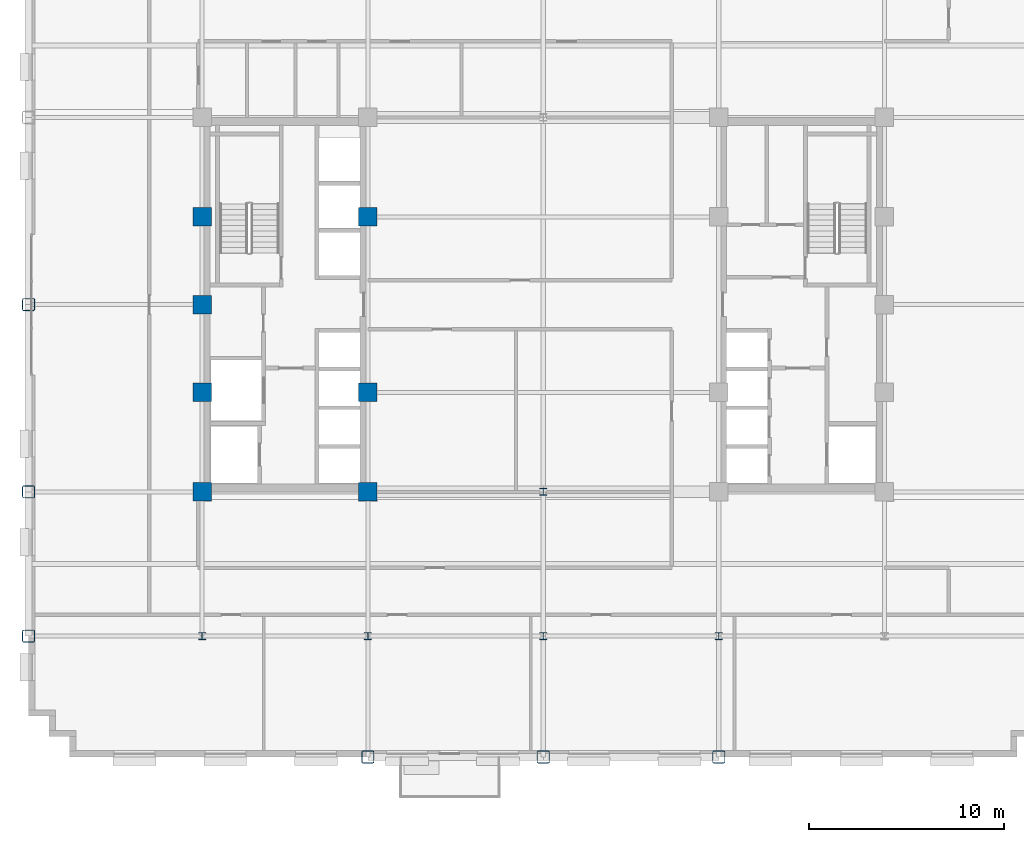
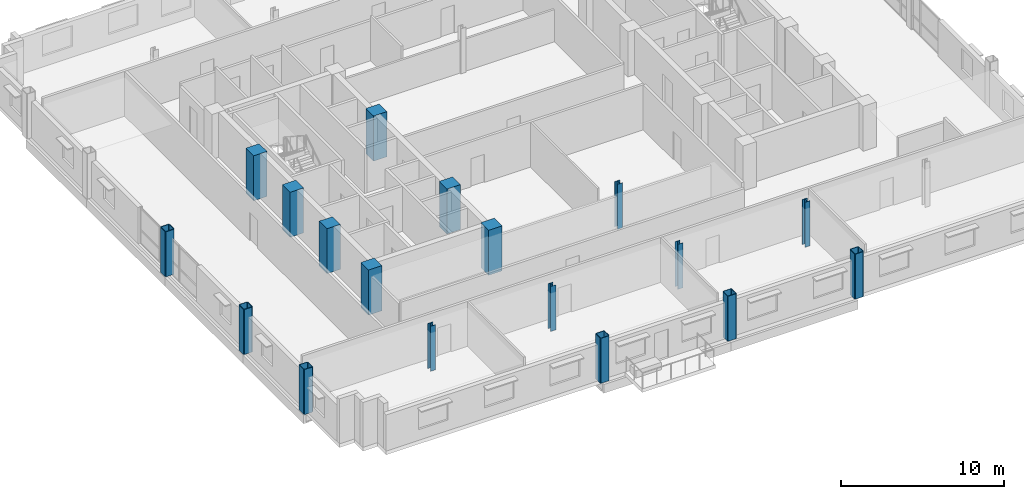
# One storey, part 1 of 15: 18 columns.
"""IFC4 building model written with IfcOpenShell, lengths in metres."""

from ifc_helpers import new_model, si_unit, direction, frame, origin, origin_2d, place, context, subcontext, project, spatial, rectangle, hollow_rectangle, i_section, extrude, material, material_profile, profile_set, type_object, element, save


model = new_model("IFC4")

# Units and contexts
model_context = context("Model", 3, precision=1e-05, world=origin(), true_north=direction((0.0, 1.0)))
body_context = subcontext(model_context, "Body", "Model", "MODEL_VIEW")
ifc_project = project(units=[si_unit("LENGTHUNIT", "METRE"), si_unit("AREAUNIT", "SQUARE_METRE"), si_unit("VOLUMEUNIT", "CUBIC_METRE"), si_unit("PLANEANGLEUNIT", "RADIAN"), si_unit("MASSUNIT", "GRAM", prefix="KILO")], contexts=[model_context])

# Site, building, storey
site_placement = place(None, origin())
site = spatial("IfcSite", under=ifc_project, at=site_placement, CompositionType="ELEMENT")
building_placement = place(site_placement, origin())
building = spatial("IfcBuilding", under=site, at=building_placement, Name="Nuvemarco Arch Tower", CompositionType="ELEMENT")
storey_placement = place(building_placement, frame((0.0, 0.0, 123.85009765625)))
storey = spatial("IfcBuildingStorey", under=building, at=storey_placement, Name="L32", CompositionType="ELEMENT", Elevation=123.85009765625)

# Columns
ifc_material_1 = material(Name="Concrete C50/60", Category="concrete")
ifc_material_profile_1 = material_profile(ifc_material_1, rectangle(XDim=0.949951171875, YDim=0.949951171875, at=origin_2d()), Name="RC-COL-950x950")
ifc_profile_set_1 = profile_set([ifc_material_profile_1], Name="Concrete C50/60")
column_type_1 = type_object("IfcColumnType", Name="COL-CORE-950", PredefinedType="COLUMN", material=ifc_profile_set_1)
for number, where, z_axis, x_axis, name in (
    (1, (-17.5, -9.60009765625, 0.0), (0.0, 0.0, 1.0), (1.0, 0.0, 0.0), "L32 column CC_-17.5_-9.6"),
    (2, (-17.5, -4.5, 0.0), (0.0, 0.0, 1.0), (1.0, 0.0, 0.0), "L32 column CC_-17.5_-4.5"),
    (3, (-17.5, 4.5, 0.0), (0.0, 0.0, 1.0), (1.0, 0.0, 0.0), "L32 column CC_-17.5_+4.5"),
    (4, (-9.0, -9.60009765625, 0.0), (0.0, 0.0, 1.0), (1.0, 0.0, 0.0), "L32 column CC_-9.0_-9.6"),
    (5, (-9.0, -4.5, 0.0), (0.0, 0.0, 1.0), (1.0, 0.0, 0.0), "L32 column CC_-9.0_-4.5"),
    (6, (-9.0, 4.5, 0.0), (0.0, 0.0, 1.0), (1.0, 0.0, 0.0), "L32 column CC_-9.0_+4.5"),
    (7, (-17.5, 0.0, 0.0), (0.0, 0.0, 1.0), (1.0, 0.0, 0.0), "L32 column CC_-17.5_+0.0"),
):
    element("IfcColumn", number, at=place(storey_placement, frame(where, z_axis=z_axis, x_axis=x_axis)), inside=storey, type_object=column_type_1, Name=name, PredefinedType="COLUMN", context=body_context, shape_type="SweptSolid", body=[
        extrude(rectangle(XDim=0.949951171875, YDim=0.949951171875, at=origin_2d()), origin(), (0.0, 0.0, 1.0), 3.369873046875),
    ])
ifc_material_2 = material(Name="Steel S355", Category="steel")
ifc_material_profile_2 = material_profile(ifc_material_2, hollow_rectangle(XDim=0.64990234375, YDim=0.64990234375, WallThickness=0.0400390625, InnerFilletRadius=0.0400390625, OuterFilletRadius=0.080078125, at=origin_2d()), Name="SHS650x650x40")
ifc_profile_set_2 = profile_set([ifc_material_profile_2], Name="Steel S355")
column_type_2 = type_object("IfcColumnType", Name="COL-EXO-650", PredefinedType="COLUMN", material=ifc_profile_set_2)
for number, where, z_axis, x_axis, name in (
    (8, (-26.39990234375, -17.0, 0.0), (0.0, 0.0, 1.0), (1.0, 0.0, 0.0), "L32 column CX_-26.4_-17.0"),
    (9, (-26.39990234375, -9.60009765625, 0.0), (0.0, 0.0, 1.0), (1.0, 0.0, 0.0), "L32 column CX_-26.4_-9.6"),
    (10, (-26.39990234375, 0.0, 0.0), (0.0, 0.0, 1.0), (1.0, 0.0, 0.0), "L32 column CX_-26.4_+0.0"),
    (11, (-9.0, -23.199951171875, 0.0), (0.0, 0.0, 1.0), (1.0, 0.0, 0.0), "L32 column CY_-9.0_-23.2"),
    (12, (0.0, -23.199951171875, 0.0), (0.0, 0.0, 1.0), (1.0, 0.0, 0.0), "L32 column CY_+0.0_-23.2"),
    (13, (9.0, -23.199951171875, 0.0), (0.0, 0.0, 1.0), (1.0, 0.0, 0.0), "L32 column CY_+9.0_-23.2"),
):
    element("IfcColumn", number, at=place(storey_placement, frame(where, z_axis=z_axis, x_axis=x_axis)), inside=storey, type_object=column_type_2, Name=name, PredefinedType="COLUMN", context=body_context, shape_type="SweptSolid", body=[
        extrude(hollow_rectangle(XDim=0.64990234375, YDim=0.64990234375, WallThickness=0.0400390625, InnerFilletRadius=0.0400390625, OuterFilletRadius=0.080078125, at=origin_2d()), origin(), (0.0, 0.0, 1.0), 3.369873046875),
    ])
ifc_material_profile_3 = material_profile(ifc_material_2, i_section(OverallWidth=0.360107421875, OverallDepth=0.360107421875, WebThickness=0.0205078125, FlangeThickness=0.0205078125, FilletRadius=0.01806640625, at=origin_2d()), Name="HP360x174")
ifc_profile_set_3 = profile_set([ifc_material_profile_3], Name="Steel S355")
column_type_3 = type_object("IfcColumnType", Name="COL-STL-HP360", PredefinedType="COLUMN", material=ifc_profile_set_3)
for number, where, z_axis, x_axis, name in (
    (14, (0.0, -17.0, 0.0), (0.0, 0.0, 1.0), (1.0, 0.0, 0.0), "L32 column CI_+0.0_-17.0"),
    (15, (0.0, -9.60009765625, 0.0), (0.0, 0.0, 1.0), (1.0, 0.0, 0.0), "L32 column CI_+0.0_-9.6"),
    (16, (-17.5, -17.0, 0.0), (0.0, 0.0, 1.0), (1.0, 0.0, 0.0), "L32 column CI_-17.5_-17.0"),
    (17, (-9.0, -17.0, 0.0), (0.0, 0.0, 1.0), (1.0, 0.0, 0.0), "L32 column CI_-9.0_-17.0"),
    (18, (9.0, -17.0, 0.0), (0.0, 0.0, 1.0), (1.0, 0.0, 0.0), "L32 column CI_+9.0_-17.0"),
):
    element("IfcColumn", number, at=place(storey_placement, frame(where, z_axis=z_axis, x_axis=x_axis)), inside=storey, type_object=column_type_3, Name=name, PredefinedType="COLUMN", context=body_context, shape_type="SweptSolid", body=[
        extrude(i_section(OverallWidth=0.360107421875, OverallDepth=0.360107421875, WebThickness=0.0205078125, FlangeThickness=0.0205078125, FilletRadius=0.01806640625, at=origin_2d()), origin(), (0.0, 0.0, 1.0), 3.369873046875),
    ])

save(model, "model.ifc")
